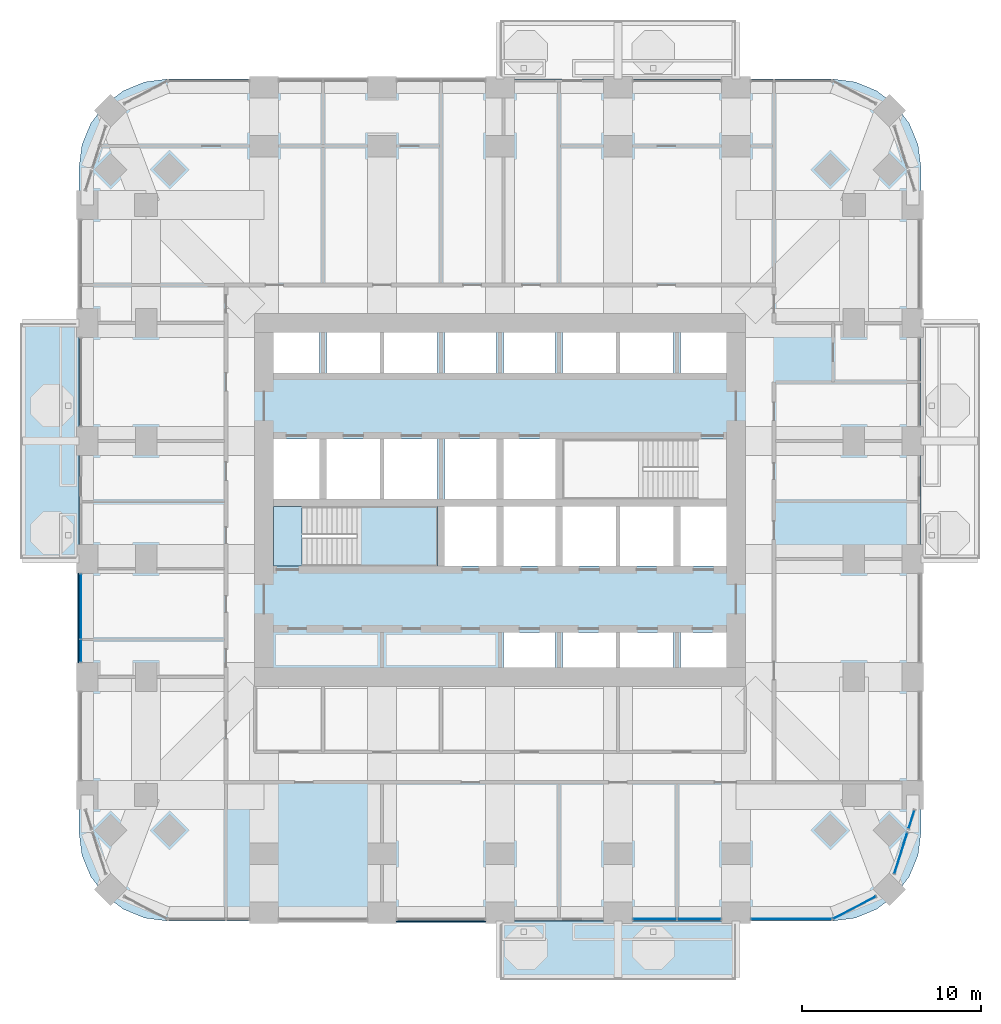
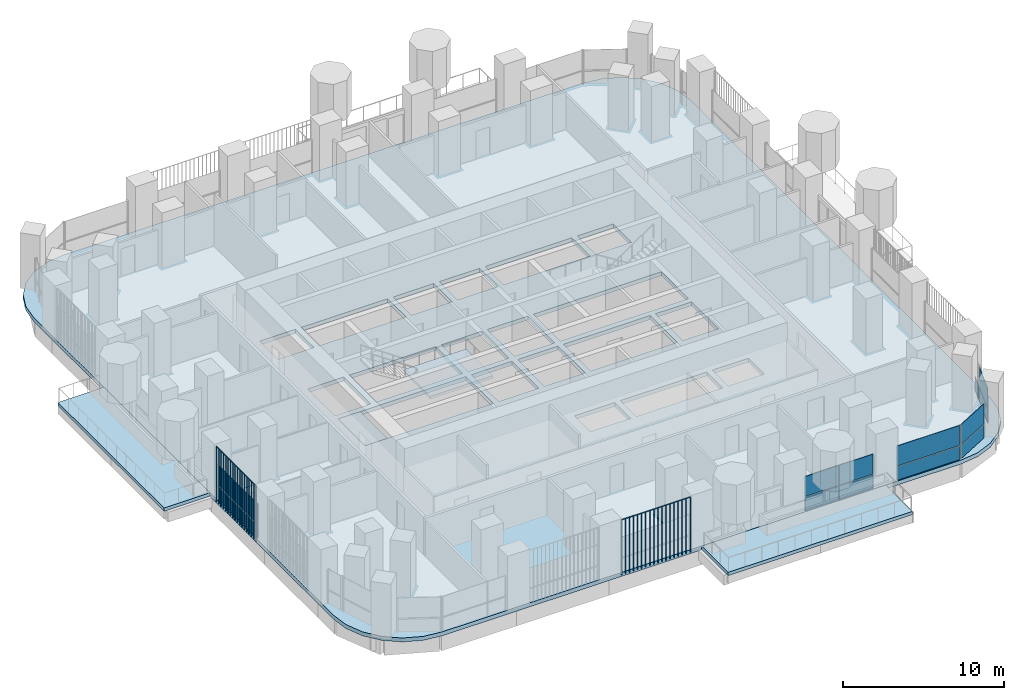
# One storey, part 10 of 22: 17 plates, 5 slabs, 7 elements without a shape of their own.
"""IFC4 building model written with IfcOpenShell, lengths in metres."""

from ifc_helpers import new_model, si_unit, direction, frame, origin, origin_2d, place, context, subcontext, project, spatial, polyline, rectangle, outline, extrude, material, layer, layer_set, type_object, element, aggregate, save


model = new_model("IFC4")

# Units and contexts
model_context = context("Model", 3, precision=1e-05, world=origin(), true_north=direction((0.0, 1.0)))
body_context = subcontext(model_context, "Body", "Model", "MODEL_VIEW")
ifc_project = project(units=[si_unit("LENGTHUNIT", "METRE"), si_unit("AREAUNIT", "SQUARE_METRE"), si_unit("VOLUMEUNIT", "CUBIC_METRE"), si_unit("PLANEANGLEUNIT", "RADIAN"), si_unit("MASSUNIT", "GRAM", prefix="KILO")], contexts=[model_context])

# Site, building, storey
site_placement = place(None, origin())
site = spatial("IfcSite", under=ifc_project, at=site_placement, CompositionType="ELEMENT")
building_placement = place(site_placement, origin())
building = spatial("IfcBuilding", under=site, at=building_placement, Name="Cobogo Forest Laboratory Tower", CompositionType="ELEMENT")
storey_placement = place(building_placement, frame((0.0, 0.0, 136.800048828125)))
storey = spatial("IfcBuildingStorey", under=building, at=storey_placement, Name="L31", CompositionType="ELEMENT", Elevation=136.800048828125)

# Slabs
ifc_material_1 = material(Name="Concrete HA-40 (C40/50)", Category="concrete")
ifc_layer_1 = layer(ifc_material_1, 0.25)
ifc_layer_set_1 = layer_set([ifc_layer_1], Name="Balcony slab 250")
slab_type_1 = type_object("IfcSlabType", Name="Balcony slab 250", PredefinedType="FLOOR", material=ifc_layer_set_1)
slab_1_placement = place(storey_placement, frame((0.0, 0.0, -0.25)))
element("IfcSlab", 1, at=slab_1_placement, inside=storey, type_object=slab_type_1, Name="Balcony BAL-S1 L31", PredefinedType="FLOOR", context=body_context, shape_type="SweptSolid", body=[
    extrude(outline(polyline([(26.39990234375, -3.75), (39.60009765625, -3.75), (39.60009765625, -0.449951171875), (26.39990234375, -0.449951171875), (26.39990234375, -3.75)])), origin(), (0.0, 0.0, 1.0), 0.25),
])
slab_2_placement = place(storey_placement, frame((0.0, 0.0, -0.25)))
element("IfcSlab", 2, at=slab_2_placement, inside=storey, type_object=slab_type_1, Name="Balcony BAL-W1 L31", PredefinedType="FLOOR", context=body_context, shape_type="SweptSolid", body=[
    extrude(outline(polyline([(-0.449951171875, 19.800048828125), (2.85009765625, 19.800048828125), (2.85009765625, 33.0), (-0.449951171875, 33.0), (-0.449951171875, 19.800048828125)])), origin(), (0.0, 0.0, 1.0), 0.25),
])
ifc_layer_2 = layer(ifc_material_1, 0.300048828125)
ifc_layer_set_2 = layer_set([ifc_layer_2], Name="Floor slab 300")
slab_type_2 = type_object("IfcSlabType", Name="Floor slab 300", PredefinedType="FLOOR", material=ifc_layer_set_2)
slab_3_placement = place(storey_placement, frame((0.0, 0.0, -0.300048828125)))
element("IfcSlab", 3, at=slab_3_placement, inside=storey, type_object=slab_type_2, Name="L31 floor slab", PredefinedType="FLOOR", context=body_context, shape_type="SweptSolid", body=[
    extrude(outline(polyline([(45.0, -0.449951171875), (46.28125, -0.28125), (47.47509765625, 0.213134765625), (48.500244140625, 0.999755859375), (49.286865234375, 2.02490234375), (49.78125, 3.21875), (49.949951171875, 4.5), (49.949951171875, 41.699951171875), (49.78125, 42.981201171875), (49.286865234375, 44.175048828125), (48.500244140625, 45.2001953125), (47.47509765625, 45.98681640625), (46.28125, 46.4814453125), (45.0, 46.64990234375), (7.800048828125, 46.64990234375), (6.518798828125, 46.4814453125), (5.324951171875, 45.98681640625), (4.2998046875, 45.2001953125), (3.51318359375, 44.175048828125), (3.0185546875, 42.981201171875), (2.85009765625, 41.699951171875), (2.85009765625, 4.5), (3.0185546875, 3.21875), (3.51318359375, 2.02490234375), (4.2998046875, 0.999755859375), (5.324951171875, 0.213134765625), (6.518798828125, -0.28125), (7.800048828125, -0.449951171875), (45.0, -0.449951171875)]), holes=[polyline([(29.5, 13.72509765625), (26.60009765625, 13.72509765625), (26.60009765625, 15.699951171875), (29.5, 15.699951171875), (29.5, 13.72509765625)]), polyline([(36.10009765625, 15.699951171875), (36.10009765625, 13.72509765625), (29.89990234375, 13.72509765625), (29.89990234375, 15.699951171875), (36.10009765625, 15.699951171875)]), polyline([(36.5, 13.72509765625), (36.5, 15.699951171875), (39.074951171875, 15.699951171875), (39.074951171875, 13.72509765625), (36.5, 13.72509765625)]), polyline([(13.72509765625, 19.39990234375), (13.72509765625, 22.75), (22.89990234375, 22.75), (22.89990234375, 19.39990234375), (13.72509765625, 19.39990234375)]), polyline([(23.300048828125, 19.39990234375), (23.300048828125, 22.75), (26.199951171875, 22.75), (26.199951171875, 19.39990234375), (23.300048828125, 19.39990234375)]), polyline([(29.5, 19.39990234375), (26.60009765625, 19.39990234375), (26.60009765625, 22.75), (29.5, 22.75), (29.5, 19.39990234375)]), polyline([(36.10009765625, 22.75), (36.10009765625, 19.39990234375), (29.89990234375, 19.39990234375), (29.89990234375, 22.75), (36.10009765625, 22.75)]), polyline([(39.074951171875, 19.39990234375), (36.5, 19.39990234375), (36.5, 22.75), (39.074951171875, 22.75), (39.074951171875, 19.39990234375)]), polyline([(16.300048828125, 23.14990234375), (13.72509765625, 23.14990234375), (13.72509765625, 26.5), (16.300048828125, 26.5), (16.300048828125, 23.14990234375)]), polyline([(22.89990234375, 26.5), (22.89990234375, 23.14990234375), (16.699951171875, 23.14990234375), (16.699951171875, 26.5), (22.89990234375, 26.5)]), polyline([(26.199951171875, 23.14990234375), (23.300048828125, 23.14990234375), (23.300048828125, 26.5), (26.199951171875, 26.5), (26.199951171875, 23.14990234375)]), polyline([(26.60009765625, 23.14990234375), (26.60009765625, 26.5), (29.5, 26.5), (29.5, 23.14990234375), (26.60009765625, 23.14990234375)]), polyline([(29.89990234375, 23.14990234375), (29.89990234375, 26.5), (39.074951171875, 26.5), (39.074951171875, 23.14990234375), (29.89990234375, 23.14990234375)]), polyline([(13.72509765625, 30.199951171875), (13.72509765625, 32.47509765625), (16.300048828125, 32.47509765625), (16.300048828125, 30.199951171875), (13.72509765625, 30.199951171875)]), polyline([(22.89990234375, 32.47509765625), (22.89990234375, 30.199951171875), (16.699951171875, 30.199951171875), (16.699951171875, 32.47509765625), (22.89990234375, 32.47509765625)]), polyline([(23.300048828125, 30.199951171875), (23.300048828125, 32.47509765625), (26.199951171875, 32.47509765625), (26.199951171875, 30.199951171875), (23.300048828125, 30.199951171875)]), polyline([(26.60009765625, 30.199951171875), (26.60009765625, 32.47509765625), (29.5, 32.47509765625), (29.5, 30.199951171875), (26.60009765625, 30.199951171875)]), polyline([(36.10009765625, 32.47509765625), (36.10009765625, 30.199951171875), (29.89990234375, 30.199951171875), (29.89990234375, 32.47509765625), (36.10009765625, 32.47509765625)]), polyline([(36.5, 30.199951171875), (36.5, 32.47509765625), (39.074951171875, 32.47509765625), (39.074951171875, 30.199951171875), (36.5, 30.199951171875)])]), origin(), (0.0, 0.0, 1.0), 0.300048828125),
])

# Curtain wall, plates
ifc_material_2 = material(Name="Aluminium curtain wall", Category="aluminium")
curtain_wall_type = type_object("IfcCurtainWallType", Name="CW-1 unitised curtain wall, clear glazing, laboratory floors zones A and B", PredefinedType="USERDEFINED", material=ifc_material_2)
curtain_wall_1_placement = place(storey_placement, origin())
curtain_wall_1 = element("IfcCurtainWall", 4, at=curtain_wall_1_placement, inside=storey, type_object=curtain_wall_type, Name="Curtain wall 05 L31", ObjectType="UNITISED CURTAIN WALL", PredefinedType="USERDEFINED")
ifc_material_3 = material(Name="Clear insulated glass", Category="glass")
ifc_layer_3 = layer(ifc_material_3, 0.028076171875)
ifc_layer_set_3 = layer_set([ifc_layer_3], Name="GP-1 clear insulated glass unit 28")
plate_type_1 = type_object("IfcPlateType", Name="GP-1 clear insulated glass unit 28", PredefinedType="CURTAIN_PANEL", material=ifc_layer_set_3)
plate_1_placement = place(storey_placement, frame((35.06494140625, -0.35009765625, 0.0), z_axis=(0.0, 0.0, 1.0), x_axis=(1.0, 0.0, 0.0)))
plate_1 = element("IfcPlate", 5, at=plate_1_placement, type_object=plate_type_1, Name="CW-1 panel 1.1", PredefinedType="CURTAIN_PANEL", context=body_context, shape_type="SweptSolid", body=[
    extrude(rectangle(XDim=2.409912109375, YDim=0.028076171875, at=origin_2d()), origin(), (0.0, 0.0, 1.0), 1.02001953125),
])
plate_2_placement = place(storey_placement, frame((35.06494140625, -0.35009765625, 1.079833984375), z_axis=(0.0, 0.0, 1.0), x_axis=(1.0, 0.0, 0.0)))
plate_2 = element("IfcPlate", 6, at=plate_2_placement, type_object=plate_type_1, Name="CW-1 panel 1.2", PredefinedType="CURTAIN_PANEL", context=body_context, shape_type="SweptSolid", body=[
    extrude(rectangle(XDim=2.409912109375, YDim=0.028076171875, at=origin_2d()), origin(), (0.0, 0.0, 1.0), 1.52001953125),
])
plate_3_placement = place(storey_placement, frame((37.534912109375, -0.35009765625, 0.0), z_axis=(0.0, 0.0, 1.0), x_axis=(1.0, 0.0, 0.0)))
plate_3 = element("IfcPlate", 7, at=plate_3_placement, type_object=plate_type_1, Name="CW-1 panel 2.1", PredefinedType="CURTAIN_PANEL", context=body_context, shape_type="SweptSolid", body=[
    extrude(rectangle(XDim=2.409912109375, YDim=0.028076171875, at=origin_2d()), origin(), (0.0, 0.0, 1.0), 1.02001953125),
])
plate_4_placement = place(storey_placement, frame((37.534912109375, -0.35009765625, 1.079833984375), z_axis=(0.0, 0.0, 1.0), x_axis=(1.0, 0.0, 0.0)))
plate_4 = element("IfcPlate", 8, at=plate_4_placement, type_object=plate_type_1, Name="CW-1 panel 2.2", PredefinedType="CURTAIN_PANEL", context=body_context, shape_type="SweptSolid", body=[
    extrude(rectangle(XDim=2.409912109375, YDim=0.028076171875, at=origin_2d()), origin(), (0.0, 0.0, 1.0), 1.52001953125),
])
aggregate(curtain_wall_1, [plate_1, plate_2, plate_3, plate_4])

curtain_wall_2_placement = place(storey_placement, origin())
curtain_wall_2 = element("IfcCurtainWall", 9, at=curtain_wall_2_placement, inside=storey, type_object=curtain_wall_type, Name="Curtain wall 06 L31", ObjectType="UNITISED CURTAIN WALL", PredefinedType="USERDEFINED")
plate_5_placement = place(storey_placement, frame((42.699951171875, -0.35009765625, 0.0), z_axis=(0.0, 0.0, 1.0), x_axis=(1.0, 0.0, 0.0)))
plate_5 = element("IfcPlate", 10, at=plate_5_placement, type_object=plate_type_1, Name="CW-1 panel 1.1", PredefinedType="CURTAIN_PANEL", context=body_context, shape_type="SweptSolid", body=[
    extrude(rectangle(XDim=4.47998046875, YDim=0.028076171875, at=origin_2d()), origin(), (0.0, 0.0, 1.0), 1.02001953125),
])
plate_6_placement = place(storey_placement, frame((42.699951171875, -0.35009765625, 1.079833984375), z_axis=(0.0, 0.0, 1.0), x_axis=(1.0, 0.0, 0.0)))
plate_6 = element("IfcPlate", 11, at=plate_6_placement, type_object=plate_type_1, Name="CW-1 panel 1.2", PredefinedType="CURTAIN_PANEL", context=body_context, shape_type="SweptSolid", body=[
    extrude(rectangle(XDim=4.47998046875, YDim=0.028076171875, at=origin_2d()), origin(), (0.0, 0.0, 1.0), 1.52001953125),
])
aggregate(curtain_wall_2, [plate_5, plate_6])

curtain_wall_3_placement = place(storey_placement, origin())
curtain_wall_3 = element("IfcCurtainWall", 12, at=curtain_wall_3_placement, inside=storey, type_object=curtain_wall_type, Name="Curtain wall 07 L31", ObjectType="UNITISED CURTAIN WALL", PredefinedType="USERDEFINED")
plate_7_placement = place(storey_placement, frame((46.229248046875, 0.29443359375, 0.0), z_axis=(0.0, 0.0, 1.0), x_axis=(0.885686547075, 0.464283685186, 0.0)))
plate_7 = element("IfcPlate", 13, at=plate_7_placement, type_object=plate_type_1, Name="CW-1 panel 1.1", PredefinedType="CURTAIN_PANEL", context=body_context, shape_type="SweptSolid", body=[
    extrude(rectangle(XDim=2.655517578125, YDim=0.028076171875, at=origin_2d()), origin(), (0.0, 0.0, 1.0), 1.02001953125),
])
plate_8_placement = place(storey_placement, frame((46.229248046875, 0.29443359375, 1.079833984375), z_axis=(0.0, 0.0, 1.0), x_axis=(0.885686547075, 0.464283685186, 0.0)))
plate_8 = element("IfcPlate", 14, at=plate_8_placement, type_object=plate_type_1, Name="CW-1 panel 1.2", PredefinedType="CURTAIN_PANEL", context=body_context, shape_type="SweptSolid", body=[
    extrude(rectangle(XDim=2.655517578125, YDim=0.028076171875, at=origin_2d()), origin(), (0.0, 0.0, 1.0), 1.52001953125),
])
aggregate(curtain_wall_3, [plate_7, plate_8])

curtain_wall_4_placement = place(storey_placement, origin())
curtain_wall_4 = element("IfcCurtainWall", 15, at=curtain_wall_4_placement, inside=storey, type_object=curtain_wall_type, Name="Curtain wall 08 L31", ObjectType="UNITISED CURTAIN WALL", PredefinedType="USERDEFINED")
plate_9_placement = place(storey_placement, frame((48.8212890625, 3.342529296875, 0.0), z_axis=(0.0, 0.0, 1.0), x_axis=(0.301135291996, 0.953581425949, 0.0)))
plate_9 = element("IfcPlate", 16, at=plate_9_placement, type_object=plate_type_1, Name="CW-1 panel 1.1", PredefinedType="CURTAIN_PANEL", context=body_context, shape_type="SweptSolid", body=[
    extrude(rectangle(XDim=2.3681640625, YDim=0.028076171875, at=origin_2d()), origin(), (0.0, 0.0, 1.0), 1.02001953125),
])
plate_10_placement = place(storey_placement, frame((48.8212890625, 3.342529296875, 1.079833984375), z_axis=(0.0, 0.0, 1.0), x_axis=(0.301135291996, 0.953581425949, 0.0)))
plate_10 = element("IfcPlate", 17, at=plate_10_placement, type_object=plate_type_1, Name="CW-1 panel 1.2", PredefinedType="CURTAIN_PANEL", context=body_context, shape_type="SweptSolid", body=[
    extrude(rectangle(XDim=2.3681640625, YDim=0.028076171875, at=origin_2d()), origin(), (0.0, 0.0, 1.0), 1.52001953125),
])
aggregate(curtain_wall_4, [plate_9, plate_10])

# Curtain wall, plate
curtain_wall_5_placement = place(storey_placement, origin())
curtain_wall_5 = element("IfcCurtainWall", 18, at=curtain_wall_5_placement, inside=storey, type_object=curtain_wall_type, Name="Curtain wall 09 L31", ObjectType="UNITISED CURTAIN WALL", PredefinedType="USERDEFINED")
plate_11_placement = place(storey_placement, frame((49.41796875, 5.232177734375, 0.0), z_axis=(0.0, 0.0, 1.0), x_axis=(0.301135667865, 0.953581307252, 0.0)))
plate_11 = element("IfcPlate", 19, at=plate_11_placement, type_object=plate_type_1, Name="CW-1 panel 1.1", PredefinedType="CURTAIN_PANEL", context=body_context, shape_type="SweptSolid", body=[
    extrude(rectangle(XDim=1.071044921875, YDim=0.028076171875, at=origin_2d()), origin(), (0.0, 0.0, 1.0), 1.02001953125),
])
aggregate(curtain_wall_5, [plate_11])

# Curtain wall, plates
curtain_wall_6_placement = place(storey_placement, origin())
curtain_wall_6 = element("IfcCurtainWall", 20, at=curtain_wall_6_placement, inside=storey, type_object=curtain_wall_type, Name="Curtain wall 30 L31", ObjectType="UNITISED CURTAIN WALL", PredefinedType="USERDEFINED")
plate_12_placement = place(storey_placement, frame((2.949951171875, 17.135009765625, 0.0), z_axis=(0.0, 0.0, 1.0), x_axis=(0.0, -1.0, 0.0)))
plate_12 = element("IfcPlate", 21, at=plate_12_placement, type_object=plate_type_1, Name="CW-1 panel 1.1", PredefinedType="CURTAIN_PANEL", context=body_context, shape_type="SweptSolid", body=[
    extrude(rectangle(XDim=3.610107421875, YDim=0.028076171875, at=origin_2d()), origin(), (0.0, 0.0, 1.0), 1.02001953125),
])
plate_13_placement = place(storey_placement, frame((2.949951171875, 17.135009765625, 1.079833984375), z_axis=(0.0, 0.0, 1.0), x_axis=(0.0, -1.0, 0.0)))
plate_13 = element("IfcPlate", 22, at=plate_13_placement, type_object=plate_type_1, Name="CW-1 panel 1.2", PredefinedType="CURTAIN_PANEL", context=body_context, shape_type="SweptSolid", body=[
    extrude(rectangle(XDim=3.610107421875, YDim=0.028076171875, at=origin_2d()), origin(), (0.0, 0.0, 1.0), 1.52001953125),
])
plate_14_placement = place(storey_placement, frame((2.949951171875, 14.6650390625, 0.0), z_axis=(0.0, 0.0, 1.0), x_axis=(0.0, -1.0, 0.0)))
plate_14 = element("IfcPlate", 23, at=plate_14_placement, type_object=plate_type_1, Name="CW-1 panel 2.1", PredefinedType="CURTAIN_PANEL", context=body_context, shape_type="SweptSolid", body=[
    extrude(rectangle(XDim=1.2099609375, YDim=0.028076171875, at=origin_2d()), origin(), (0.0, 0.0, 1.0), 1.02001953125),
])
plate_15_placement = place(storey_placement, frame((2.949951171875, 14.6650390625, 1.079833984375), z_axis=(0.0, 0.0, 1.0), x_axis=(0.0, -1.0, 0.0)))
plate_15 = element("IfcPlate", 24, at=plate_15_placement, type_object=plate_type_1, Name="CW-1 panel 2.2", PredefinedType="CURTAIN_PANEL", context=body_context, shape_type="SweptSolid", body=[
    extrude(rectangle(XDim=1.2099609375, YDim=0.028076171875, at=origin_2d()), origin(), (0.0, 0.0, 1.0), 1.52001953125),
])
aggregate(curtain_wall_6, [plate_12, plate_13, plate_14, plate_15])

# Stair, slabs
ifc_material_4 = material(Name="Precast concrete HA-40 (C40/50)", Category="concrete")
stair_type = type_object("IfcStairType", Name="ST24 exit stair 24 risers", PredefinedType="HALF_TURN_STAIR", material=ifc_material_4)
stair_placement = place(storey_placement, origin())
stair = element("IfcStair", 25, at=stair_placement, inside=storey, type_object=stair_type, Name="Stair 1 L31 to L32", PredefinedType="HALF_TURN_STAIR")
ifc_layer_4 = layer(ifc_material_1, 0.199951171875)
ifc_layer_set_4 = layer_set([ifc_layer_4], Name="SL stair landing 200")
slab_type_3 = type_object("IfcSlabType", Name="SL stair landing 200", PredefinedType="LANDING", material=ifc_layer_set_4)
slab_4_placement = place(storey_placement, frame((0.0, 0.0, -0.199951171875)))
slab_4 = element("IfcSlab", 26, at=slab_4_placement, type_object=slab_type_3, Name="ST1 landing 1", PredefinedType="LANDING", context=body_context, shape_type="SweptSolid", body=[
    extrude(outline(polyline([(13.72509765625, 19.39990234375), (15.326904296875, 19.39990234375), (15.326904296875, 22.75), (13.72509765625, 22.75), (13.72509765625, 19.39990234375)])), origin(), (0.0, 0.0, 1.0), 0.199951171875),
])
slab_5_placement = place(storey_placement, frame((0.0, 0.0, 1.89990234375)))
slab_5 = element("IfcSlab", 27, at=slab_5_placement, type_object=slab_type_3, Name="ST1 landing 2", PredefinedType="LANDING", context=body_context, shape_type="SweptSolid", body=[
    extrude(outline(polyline([(18.403076171875, 19.39990234375), (22.89990234375, 19.39990234375), (22.89990234375, 22.75), (18.403076171875, 22.75), (18.403076171875, 19.39990234375)])), origin(), (0.0, 0.0, 1.0), 0.199951171875),
])
aggregate(stair, [slab_4, slab_5])

# Plates
ifc_material_5 = material(Name="Terracotta", Category="masonry")
plate_type_2 = type_object("IfcPlateType", Name="TB1 terracotta baguette screen", PredefinedType="USERDEFINED", material=ifc_material_5)
plate_16_placement = place(storey_placement, frame((20.63134765625, -0.477783203125, -0.150146484375)))
element("IfcPlate", 28, at=plate_16_placement, inside=storey, type_object=plate_type_2, Name="Baguette screen S2 L31", ObjectType="BAGUETTE SCREEN", PredefinedType="USERDEFINED", context=body_context, shape_type="SweptSolid", body=[
    extrude(outline(polyline([(0.02880859375, 0.011962890625), (0.011962890625, 0.02880859375), (-0.011962890625, 0.02880859375), (-0.02880859375, 0.011962890625), (-0.02880859375, -0.011962890625), (-0.011962890625, -0.02880859375), (0.011962890625, -0.02880859375), (0.02880859375, -0.011962890625), (0.02880859375, 0.011962890625)])), frame((0.0, 0.0, 4.168701171875), z_axis=(1.0, 0.0, 0.0), x_axis=(0.0, 1.0, 0.0)), (0.0, 0.0, 1.0), 4.9375),
    extrude(outline(polyline([(0.02880859375, 0.011962890625), (0.011962890625, 0.02880859375), (-0.011962890625, 0.02880859375), (-0.02880859375, 0.011962890625), (-0.02880859375, -0.011962890625), (-0.011962890625, -0.02880859375), (0.011962890625, -0.02880859375), (0.02880859375, -0.011962890625), (0.02880859375, 0.011962890625)])), origin(), (0.0, 0.0, 1.0), 4.137451171875),
    extrude(outline(polyline([(0.02880859375, 0.011962890625), (0.011962890625, 0.02880859375), (-0.011962890625, 0.02880859375), (-0.02880859375, 0.011962890625), (-0.02880859375, -0.011962890625), (-0.011962890625, -0.02880859375), (0.011962890625, -0.02880859375), (0.02880859375, -0.011962890625), (0.02880859375, 0.011962890625)])), frame((0.29052734375, 0.0, 0.0)), (0.0, 0.0, 1.0), 4.137451171875),
    extrude(outline(polyline([(0.02880859375, 0.011962890625), (0.011962890625, 0.02880859375), (-0.011962890625, 0.02880859375), (-0.02880859375, 0.011962890625), (-0.02880859375, -0.011962890625), (-0.011962890625, -0.02880859375), (0.011962890625, -0.02880859375), (0.02880859375, -0.011962890625), (0.02880859375, 0.011962890625)])), frame((0.580810546875, 0.0, 0.0)), (0.0, 0.0, 1.0), 4.137451171875),
    extrude(outline(polyline([(0.02880859375, 0.011962890625), (0.011962890625, 0.02880859375), (-0.011962890625, 0.02880859375), (-0.02880859375, 0.011962890625), (-0.02880859375, -0.011962890625), (-0.011962890625, -0.02880859375), (0.011962890625, -0.02880859375), (0.02880859375, -0.011962890625), (0.02880859375, 0.011962890625)])), frame((0.871337890625, 0.0, 0.0)), (0.0, 0.0, 1.0), 4.137451171875),
    extrude(outline(polyline([(0.02880859375, 0.011962890625), (0.011962890625, 0.02880859375), (-0.011962890625, 0.02880859375), (-0.02880859375, 0.011962890625), (-0.02880859375, -0.011962890625), (-0.011962890625, -0.02880859375), (0.011962890625, -0.02880859375), (0.02880859375, -0.011962890625), (0.02880859375, 0.011962890625)])), frame((1.161865234375, 0.0, 0.0)), (0.0, 0.0, 1.0), 4.137451171875),
    extrude(outline(polyline([(0.02880859375, 0.011962890625), (0.011962890625, 0.02880859375), (-0.011962890625, 0.02880859375), (-0.02880859375, 0.011962890625), (-0.02880859375, -0.011962890625), (-0.011962890625, -0.02880859375), (0.011962890625, -0.02880859375), (0.02880859375, -0.011962890625), (0.02880859375, 0.011962890625)])), frame((1.4521484375, 0.0, 0.0)), (0.0, 0.0, 1.0), 4.137451171875),
    extrude(outline(polyline([(0.02880859375, 0.011962890625), (0.011962890625, 0.02880859375), (-0.011962890625, 0.02880859375), (-0.02880859375, 0.011962890625), (-0.02880859375, -0.011962890625), (-0.011962890625, -0.02880859375), (0.011962890625, -0.02880859375), (0.02880859375, -0.011962890625), (0.02880859375, 0.011962890625)])), frame((1.74267578125, 0.0, 0.0)), (0.0, 0.0, 1.0), 4.137451171875),
    extrude(outline(polyline([(0.02880859375, 0.011962890625), (0.011962890625, 0.02880859375), (-0.011962890625, 0.02880859375), (-0.02880859375, 0.011962890625), (-0.02880859375, -0.011962890625), (-0.011962890625, -0.02880859375), (0.011962890625, -0.02880859375), (0.02880859375, -0.011962890625), (0.02880859375, 0.011962890625)])), frame((2.033203125, 0.0, 0.0)), (0.0, 0.0, 1.0), 4.137451171875),
    extrude(outline(polyline([(0.02880859375, 0.011962890625), (0.011962890625, 0.02880859375), (-0.011962890625, 0.02880859375), (-0.02880859375, 0.011962890625), (-0.02880859375, -0.011962890625), (-0.011962890625, -0.02880859375), (0.011962890625, -0.02880859375), (0.02880859375, -0.011962890625), (0.02880859375, 0.011962890625)])), frame((2.323486328125, 0.0, 0.0)), (0.0, 0.0, 1.0), 4.137451171875),
    extrude(outline(polyline([(0.02880859375, 0.011962890625), (0.011962890625, 0.02880859375), (-0.011962890625, 0.02880859375), (-0.02880859375, 0.011962890625), (-0.02880859375, -0.011962890625), (-0.011962890625, -0.02880859375), (0.011962890625, -0.02880859375), (0.02880859375, -0.011962890625), (0.02880859375, 0.011962890625)])), frame((2.614013671875, 0.0, 0.0)), (0.0, 0.0, 1.0), 4.137451171875),
    extrude(outline(polyline([(0.02880859375, 0.011962890625), (0.011962890625, 0.02880859375), (-0.011962890625, 0.02880859375), (-0.02880859375, 0.011962890625), (-0.02880859375, -0.011962890625), (-0.011962890625, -0.02880859375), (0.011962890625, -0.02880859375), (0.02880859375, -0.011962890625), (0.02880859375, 0.011962890625)])), frame((2.904296875, 0.0, 0.0)), (0.0, 0.0, 1.0), 4.137451171875),
    extrude(outline(polyline([(0.02880859375, 0.011962890625), (0.011962890625, 0.02880859375), (-0.011962890625, 0.02880859375), (-0.02880859375, 0.011962890625), (-0.02880859375, -0.011962890625), (-0.011962890625, -0.02880859375), (0.011962890625, -0.02880859375), (0.02880859375, -0.011962890625), (0.02880859375, 0.011962890625)])), frame((3.19482421875, 0.0, 0.0)), (0.0, 0.0, 1.0), 4.137451171875),
    extrude(outline(polyline([(0.02880859375, 0.011962890625), (0.011962890625, 0.02880859375), (-0.011962890625, 0.02880859375), (-0.02880859375, 0.011962890625), (-0.02880859375, -0.011962890625), (-0.011962890625, -0.02880859375), (0.011962890625, -0.02880859375), (0.02880859375, -0.011962890625), (0.02880859375, 0.011962890625)])), frame((3.4853515625, 0.0, 0.0)), (0.0, 0.0, 1.0), 4.137451171875),
    extrude(outline(polyline([(0.02880859375, 0.011962890625), (0.011962890625, 0.02880859375), (-0.011962890625, 0.02880859375), (-0.02880859375, 0.011962890625), (-0.02880859375, -0.011962890625), (-0.011962890625, -0.02880859375), (0.011962890625, -0.02880859375), (0.02880859375, -0.011962890625), (0.02880859375, 0.011962890625)])), frame((3.775634765625, 0.0, 0.0)), (0.0, 0.0, 1.0), 4.137451171875),
    extrude(outline(polyline([(0.02880859375, 0.011962890625), (0.011962890625, 0.02880859375), (-0.011962890625, 0.02880859375), (-0.02880859375, 0.011962890625), (-0.02880859375, -0.011962890625), (-0.011962890625, -0.02880859375), (0.011962890625, -0.02880859375), (0.02880859375, -0.011962890625), (0.02880859375, 0.011962890625)])), frame((4.066162109375, 0.0, 0.0)), (0.0, 0.0, 1.0), 4.137451171875),
    extrude(outline(polyline([(0.02880859375, 0.011962890625), (0.011962890625, 0.02880859375), (-0.011962890625, 0.02880859375), (-0.02880859375, 0.011962890625), (-0.02880859375, -0.011962890625), (-0.011962890625, -0.02880859375), (0.011962890625, -0.02880859375), (0.02880859375, -0.011962890625), (0.02880859375, 0.011962890625)])), frame((4.356689453125, 0.0, 0.0)), (0.0, 0.0, 1.0), 4.137451171875),
    extrude(outline(polyline([(0.02880859375, 0.011962890625), (0.011962890625, 0.02880859375), (-0.011962890625, 0.02880859375), (-0.02880859375, 0.011962890625), (-0.02880859375, -0.011962890625), (-0.011962890625, -0.02880859375), (0.011962890625, -0.02880859375), (0.02880859375, -0.011962890625), (0.02880859375, 0.011962890625)])), frame((4.64697265625, 0.0, 0.0)), (0.0, 0.0, 1.0), 4.137451171875),
    extrude(outline(polyline([(0.02880859375, 0.011962890625), (0.011962890625, 0.02880859375), (-0.011962890625, 0.02880859375), (-0.02880859375, 0.011962890625), (-0.02880859375, -0.011962890625), (-0.011962890625, -0.02880859375), (0.011962890625, -0.02880859375), (0.02880859375, -0.011962890625), (0.02880859375, 0.011962890625)])), frame((4.9375, 0.0, 0.0)), (0.0, 0.0, 1.0), 4.137451171875),
])
plate_17_placement = place(storey_placement, frame((2.822021484375, 14.03125, -0.150146484375)))
element("IfcPlate", 29, at=plate_17_placement, inside=storey, type_object=plate_type_2, Name="Baguette screen W2 L31", ObjectType="BAGUETTE SCREEN", PredefinedType="USERDEFINED", context=body_context, shape_type="SweptSolid", body=[
    extrude(outline(polyline([(0.02880859375, 0.011962890625), (0.011962890625, 0.02880859375), (-0.011962890625, 0.02880859375), (-0.02880859375, 0.011962890625), (-0.02880859375, -0.011962890625), (-0.011962890625, -0.02880859375), (0.011962890625, -0.02880859375), (0.02880859375, -0.011962890625), (0.02880859375, 0.011962890625)])), frame((0.0, 0.0, 4.168701171875), z_axis=(0.0, 1.0, 0.0), x_axis=(-1.0, 0.0, 0.0)), (0.0, 0.0, 1.0), 4.9375),
    extrude(outline(polyline([(0.02880859375, 0.011962890625), (0.011962890625, 0.02880859375), (-0.011962890625, 0.02880859375), (-0.02880859375, 0.011962890625), (-0.02880859375, -0.011962890625), (-0.011962890625, -0.02880859375), (0.011962890625, -0.02880859375), (0.02880859375, -0.011962890625), (0.02880859375, 0.011962890625)])), origin(), (0.0, 0.0, 1.0), 4.137451171875),
    extrude(outline(polyline([(0.02880859375, 0.011962890625), (0.011962890625, 0.02880859375), (-0.011962890625, 0.02880859375), (-0.02880859375, 0.011962890625), (-0.02880859375, -0.011962890625), (-0.011962890625, -0.02880859375), (0.011962890625, -0.02880859375), (0.02880859375, -0.011962890625), (0.02880859375, 0.011962890625)])), frame((0.0, 0.29052734375, 0.0)), (0.0, 0.0, 1.0), 4.137451171875),
    extrude(outline(polyline([(0.02880859375, 0.011962890625), (0.011962890625, 0.02880859375), (-0.011962890625, 0.02880859375), (-0.02880859375, 0.011962890625), (-0.02880859375, -0.011962890625), (-0.011962890625, -0.02880859375), (0.011962890625, -0.02880859375), (0.02880859375, -0.011962890625), (0.02880859375, 0.011962890625)])), frame((0.0, 0.580810546875, 0.0)), (0.0, 0.0, 1.0), 4.137451171875),
    extrude(outline(polyline([(0.02880859375, 0.011962890625), (0.011962890625, 0.02880859375), (-0.011962890625, 0.02880859375), (-0.02880859375, 0.011962890625), (-0.02880859375, -0.011962890625), (-0.011962890625, -0.02880859375), (0.011962890625, -0.02880859375), (0.02880859375, -0.011962890625), (0.02880859375, 0.011962890625)])), frame((0.0, 0.871337890625, 0.0)), (0.0, 0.0, 1.0), 4.137451171875),
    extrude(outline(polyline([(0.02880859375, 0.011962890625), (0.011962890625, 0.02880859375), (-0.011962890625, 0.02880859375), (-0.02880859375, 0.011962890625), (-0.02880859375, -0.011962890625), (-0.011962890625, -0.02880859375), (0.011962890625, -0.02880859375), (0.02880859375, -0.011962890625), (0.02880859375, 0.011962890625)])), frame((0.0, 1.161865234375, 0.0)), (0.0, 0.0, 1.0), 4.137451171875),
    extrude(outline(polyline([(0.02880859375, 0.011962890625), (0.011962890625, 0.02880859375), (-0.011962890625, 0.02880859375), (-0.02880859375, 0.011962890625), (-0.02880859375, -0.011962890625), (-0.011962890625, -0.02880859375), (0.011962890625, -0.02880859375), (0.02880859375, -0.011962890625), (0.02880859375, 0.011962890625)])), frame((0.0, 1.4521484375, 0.0)), (0.0, 0.0, 1.0), 4.137451171875),
    extrude(outline(polyline([(0.02880859375, 0.011962890625), (0.011962890625, 0.02880859375), (-0.011962890625, 0.02880859375), (-0.02880859375, 0.011962890625), (-0.02880859375, -0.011962890625), (-0.011962890625, -0.02880859375), (0.011962890625, -0.02880859375), (0.02880859375, -0.011962890625), (0.02880859375, 0.011962890625)])), frame((0.0, 1.74267578125, 0.0)), (0.0, 0.0, 1.0), 4.137451171875),
    extrude(outline(polyline([(0.02880859375, 0.011962890625), (0.011962890625, 0.02880859375), (-0.011962890625, 0.02880859375), (-0.02880859375, 0.011962890625), (-0.02880859375, -0.011962890625), (-0.011962890625, -0.02880859375), (0.011962890625, -0.02880859375), (0.02880859375, -0.011962890625), (0.02880859375, 0.011962890625)])), frame((0.0, 2.033203125, 0.0)), (0.0, 0.0, 1.0), 4.137451171875),
    extrude(outline(polyline([(0.02880859375, 0.011962890625), (0.011962890625, 0.02880859375), (-0.011962890625, 0.02880859375), (-0.02880859375, 0.011962890625), (-0.02880859375, -0.011962890625), (-0.011962890625, -0.02880859375), (0.011962890625, -0.02880859375), (0.02880859375, -0.011962890625), (0.02880859375, 0.011962890625)])), frame((0.0, 2.323486328125, 0.0)), (0.0, 0.0, 1.0), 4.137451171875),
    extrude(outline(polyline([(0.02880859375, 0.011962890625), (0.011962890625, 0.02880859375), (-0.011962890625, 0.02880859375), (-0.02880859375, 0.011962890625), (-0.02880859375, -0.011962890625), (-0.011962890625, -0.02880859375), (0.011962890625, -0.02880859375), (0.02880859375, -0.011962890625), (0.02880859375, 0.011962890625)])), frame((0.0, 2.614013671875, 0.0)), (0.0, 0.0, 1.0), 4.137451171875),
    extrude(outline(polyline([(0.02880859375, 0.011962890625), (0.011962890625, 0.02880859375), (-0.011962890625, 0.02880859375), (-0.02880859375, 0.011962890625), (-0.02880859375, -0.011962890625), (-0.011962890625, -0.02880859375), (0.011962890625, -0.02880859375), (0.02880859375, -0.011962890625), (0.02880859375, 0.011962890625)])), frame((0.0, 2.904296875, 0.0)), (0.0, 0.0, 1.0), 4.137451171875),
    extrude(outline(polyline([(0.02880859375, 0.011962890625), (0.011962890625, 0.02880859375), (-0.011962890625, 0.02880859375), (-0.02880859375, 0.011962890625), (-0.02880859375, -0.011962890625), (-0.011962890625, -0.02880859375), (0.011962890625, -0.02880859375), (0.02880859375, -0.011962890625), (0.02880859375, 0.011962890625)])), frame((0.0, 3.19482421875, 0.0)), (0.0, 0.0, 1.0), 4.137451171875),
    extrude(outline(polyline([(0.02880859375, 0.011962890625), (0.011962890625, 0.02880859375), (-0.011962890625, 0.02880859375), (-0.02880859375, 0.011962890625), (-0.02880859375, -0.011962890625), (-0.011962890625, -0.02880859375), (0.011962890625, -0.02880859375), (0.02880859375, -0.011962890625), (0.02880859375, 0.011962890625)])), frame((0.0, 3.4853515625, 0.0)), (0.0, 0.0, 1.0), 4.137451171875),
    extrude(outline(polyline([(0.02880859375, 0.011962890625), (0.011962890625, 0.02880859375), (-0.011962890625, 0.02880859375), (-0.02880859375, 0.011962890625), (-0.02880859375, -0.011962890625), (-0.011962890625, -0.02880859375), (0.011962890625, -0.02880859375), (0.02880859375, -0.011962890625), (0.02880859375, 0.011962890625)])), frame((0.0, 3.775634765625, 0.0)), (0.0, 0.0, 1.0), 4.137451171875),
    extrude(outline(polyline([(0.02880859375, 0.011962890625), (0.011962890625, 0.02880859375), (-0.011962890625, 0.02880859375), (-0.02880859375, 0.011962890625), (-0.02880859375, -0.011962890625), (-0.011962890625, -0.02880859375), (0.011962890625, -0.02880859375), (0.02880859375, -0.011962890625), (0.02880859375, 0.011962890625)])), frame((0.0, 4.066162109375, 0.0)), (0.0, 0.0, 1.0), 4.137451171875),
    extrude(outline(polyline([(0.02880859375, 0.011962890625), (0.011962890625, 0.02880859375), (-0.011962890625, 0.02880859375), (-0.02880859375, 0.011962890625), (-0.02880859375, -0.011962890625), (-0.011962890625, -0.02880859375), (0.011962890625, -0.02880859375), (0.02880859375, -0.011962890625), (0.02880859375, 0.011962890625)])), frame((0.0, 4.356689453125, 0.0)), (0.0, 0.0, 1.0), 4.137451171875),
    extrude(outline(polyline([(0.02880859375, 0.011962890625), (0.011962890625, 0.02880859375), (-0.011962890625, 0.02880859375), (-0.02880859375, 0.011962890625), (-0.02880859375, -0.011962890625), (-0.011962890625, -0.02880859375), (0.011962890625, -0.02880859375), (0.02880859375, -0.011962890625), (0.02880859375, 0.011962890625)])), frame((0.0, 4.64697265625, 0.0)), (0.0, 0.0, 1.0), 4.137451171875),
    extrude(outline(polyline([(0.02880859375, 0.011962890625), (0.011962890625, 0.02880859375), (-0.011962890625, 0.02880859375), (-0.02880859375, 0.011962890625), (-0.02880859375, -0.011962890625), (-0.011962890625, -0.02880859375), (0.011962890625, -0.02880859375), (0.02880859375, -0.011962890625), (0.02880859375, 0.011962890625)])), frame((0.0, 4.9375, 0.0)), (0.0, 0.0, 1.0), 4.137451171875),
])

save(model, "model.ifc")
